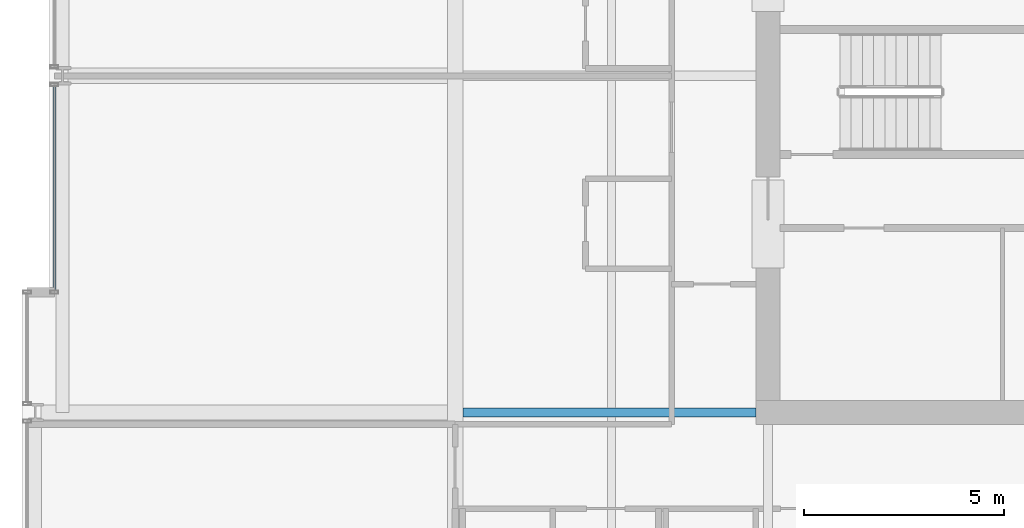
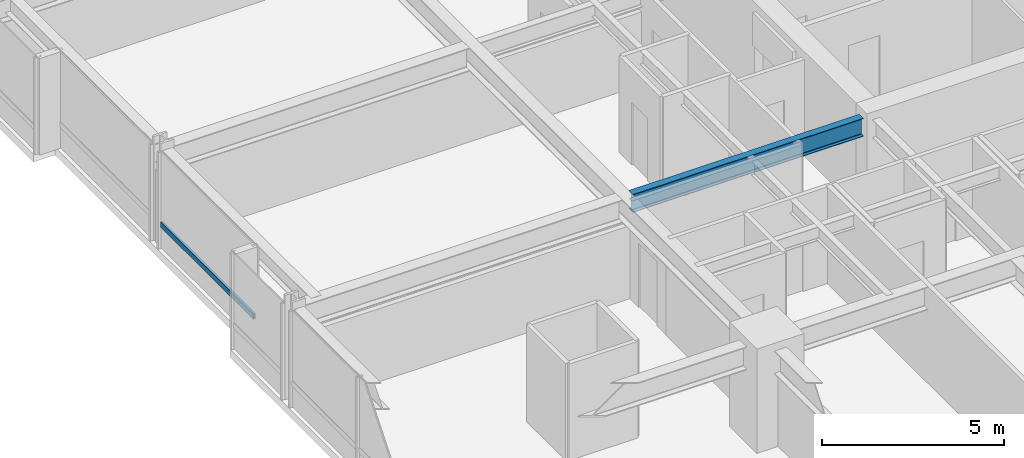
# One storey, part 8 of 34: 1 beam, 1 member, 1 element without a shape of its own.
"""IFC4 building model written with IfcOpenShell, lengths in metres."""

from ifc_helpers import new_model, si_unit, direction, frame, origin, origin_2d, place, context, subcontext, project, spatial, hollow_rectangle, i_section, extrude, material, layer, layer_set, material_profile, profile_set, type_object, element, aggregate, save


model = new_model("IFC4")

# Units and contexts
model_context = context("Model", 3, precision=1e-05, world=origin(), true_north=direction((0.0, 1.0)))
body_context = subcontext(model_context, "Body", "Model", "MODEL_VIEW")
ifc_project = project(units=[si_unit("LENGTHUNIT", "METRE"), si_unit("AREAUNIT", "SQUARE_METRE"), si_unit("VOLUMEUNIT", "CUBIC_METRE"), si_unit("PLANEANGLEUNIT", "RADIAN"), si_unit("MASSUNIT", "GRAM", prefix="KILO")], contexts=[model_context])

# Site, building, storey
site_placement = place(None, origin())
site = spatial("IfcSite", under=ifc_project, at=site_placement, CompositionType="ELEMENT")
building_placement = place(site_placement, origin())
building = spatial("IfcBuilding", under=site, at=building_placement, Name="Drelvath Grand Hotel", CompositionType="ELEMENT")
storey_placement = place(building_placement, frame((0.0, 0.0, 91.800048828125)))
storey = spatial("IfcBuildingStorey", under=building, at=storey_placement, Name="L22", CompositionType="ELEMENT", Elevation=91.800048828125)

# Curtain wall, member
ifc_material_1 = material(Name="Champagne Bronze Anodised Aluminium Frame", Category="aluminium")
ifc_layer = layer(ifc_material_1, 0.199951171875)
ifc_layer_set = layer_set([ifc_layer], Name="Champagne Bronze Anodised Aluminium Frame")
curtain_wall_type = type_object("IfcCurtainWallType", Name="Stick Curtain Wall CW-03 Champagne Bronze Mid-Rise", PredefinedType="NOTDEFINED", material=ifc_layer_set)
curtain_wall_placement = place(storey_placement, origin())
curtain_wall = element("IfcCurtainWall", 1, at=curtain_wall_placement, inside=storey, type_object=curtain_wall_type, Name="L22 CW-03 Curtain Wall CW03-L22-WM1", PredefinedType="NOTDEFINED")
ifc_material_profile_1 = material_profile(ifc_material_1, hollow_rectangle(XDim=0.074951171875, YDim=0.179931640625, WallThickness=0.0048828125, at=origin_2d()), Name="HSS180X75X5")
ifc_profile_set_1 = profile_set([ifc_material_profile_1], Name="Champagne Bronze Anodised Aluminium Frame")
member_type = type_object("IfcMemberType", Name="Curtain Wall Horizontal Transom CW-03 HSS180X75X5", PredefinedType="USERDEFINED", material=ifc_profile_set_1)
member_placement = place(storey_placement, frame((-26.199951171875, 21.639892578125, 0.81005859375), z_axis=(0.0, 1.0, 0.0), x_axis=(-1.0, 0.0, 0.0)))
member = element("IfcMember", 2, at=member_placement, type_object=member_type, Name="CW03-L22-WM1 Sill Transom", ObjectType="TRANSOM", PredefinedType="USERDEFINED", context=body_context, shape_type="SweptSolid", body=[
    extrude(hollow_rectangle(XDim=0.074951171875, YDim=0.179931640625, WallThickness=0.0048828125, at=origin_2d()), origin(), (0.0, 0.0, 1.0), 5.1005859375),
])
aggregate(curtain_wall, [member])

# Beam
ifc_material_2 = material(Name="Steel ASTM A992 Gr 50", Category="steel")
ifc_material_profile_2 = material_profile(ifc_material_2, i_section(OverallWidth=0.228271484375, OverallDepth=0.607666015625, WebThickness=0.01123046875, FlangeThickness=0.017333984375, FilletRadius=0.02001953125, at=origin_2d()), Name="W24X76")
ifc_profile_set_2 = profile_set([ifc_material_profile_2], Name="Steel ASTM A992 Gr 50")
beam_type = type_object("IfcBeamType", Name="Primary Floor Girder W24X76", PredefinedType="BEAM", material=ifc_profile_set_2)
beam_placement = place(storey_placement, frame((-16.009765625, 18.60009765625, 2.93603515625), z_axis=(1.0, 0.0, 0.0), x_axis=(0.0, 1.0, 0.0)))
element("IfcBeam", 3, at=beam_placement, inside=storey, type_object=beam_type, Name="L22 West Core Tie D", PredefinedType="BEAM", context=body_context, shape_type="SweptSolid", body=[
    extrude(i_section(OverallWidth=0.228271484375, OverallDepth=0.607666015625, WebThickness=0.01123046875, FlangeThickness=0.017333984375, FilletRadius=0.02001953125, at=origin_2d()), origin(), (0.0, 0.0, 1.0), 7.309814453125),
])

save(model, "model.ifc")
